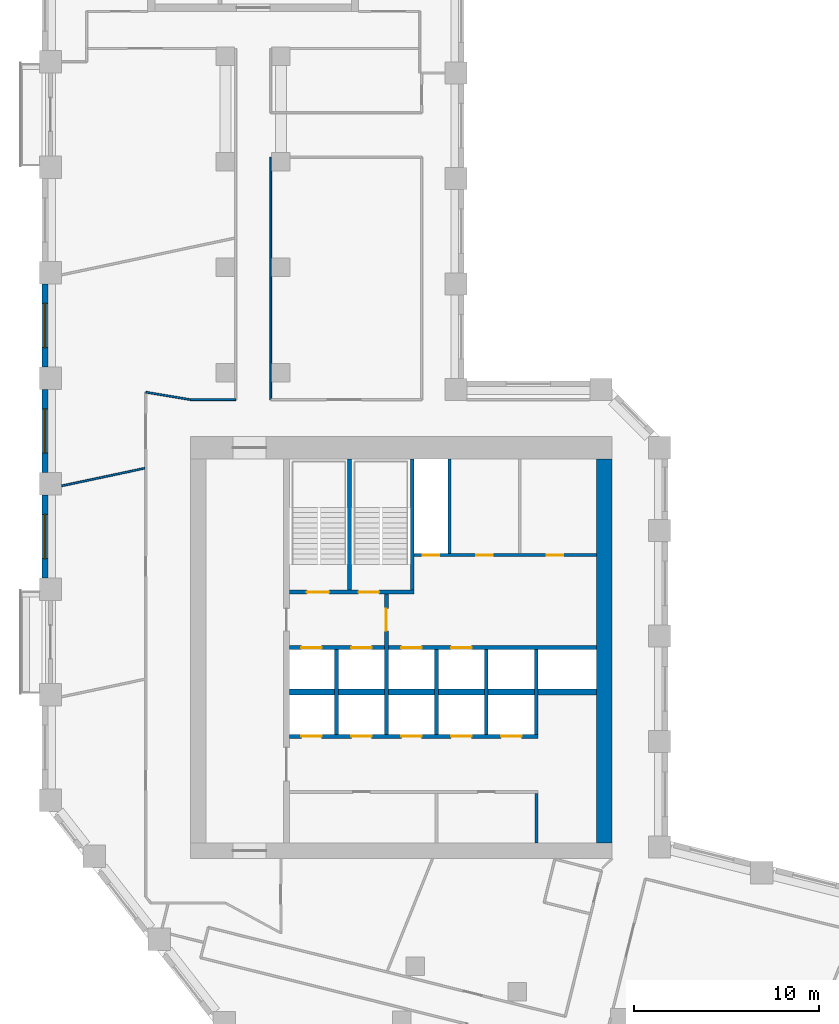
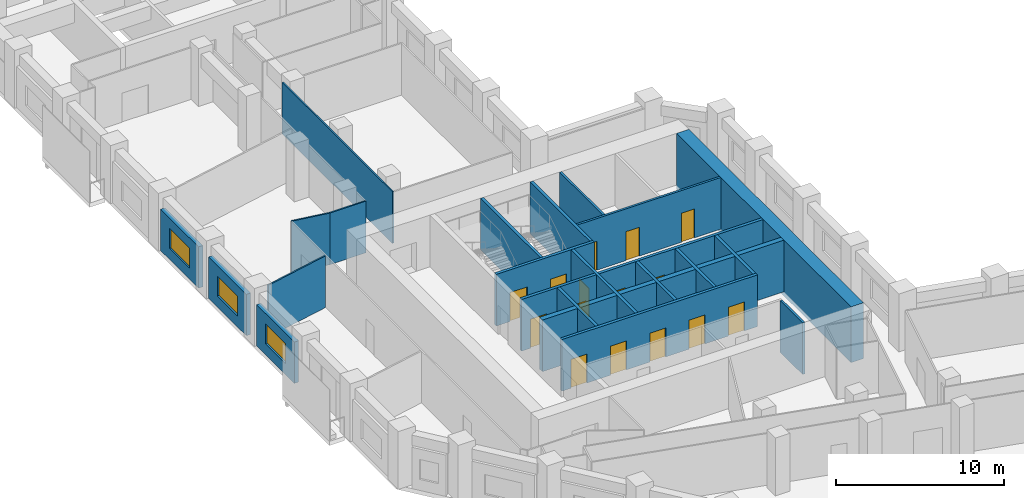
# One storey, part 5 of 10: 22 walls, 15 doors, 3 windows, 18 openings.
"""IFC4 building model written with IfcOpenShell, lengths in metres."""

import ifcopenshell
import ifcopenshell.guid

model = None  # the IFC model being written
_history = None  # IfcOwnerHistory: only IFC2X3 demands one
_inside = {}  # id of a spatial element -> (the spatial element, [elements in it])
_under = {}  # id of a project, library or spatial element -> (it, [spatial elements below it])
_declared = {}  # id of a project -> (the project, [libraries it declares])
_typed = {}  # id of a type object -> (the type object, [elements of that type])
_made_of = {}  # id of a material, layer set ... -> (it, [elements and type objects made of it])


def new_model(schema):
    """Start an empty IFC model of exactly this schema.

    Asked for "IFC4X3", IfcOpenShell would pick the latest addendum, in which some entities
    have other attributes; the version numbers below select the first issue.
    IFC2X3 requires an IfcOwnerHistory on every rooted entity: one is made here for all.
    """
    global model, _history
    if schema == "IFC4X3":
        model = ifcopenshell.file(schema_version=(4, 3, 0, 0))
    else:
        model = ifcopenshell.file(schema=schema)
    _inside.clear()
    _under.clear()
    _declared.clear()
    _typed.clear()
    _made_of.clear()
    _history = None
    if model.schema == "IFC2X3":
        org = make("IfcOrganization", Name="unknown")
        user = make(
            "IfcPersonAndOrganization",
            ThePerson=make("IfcPerson", FamilyName="unknown"),
            TheOrganization=org,
        )
        app = make(
            "IfcApplication",
            ApplicationDeveloper=org,
            Version="unknown",
            ApplicationFullName="unknown",
            ApplicationIdentifier="unknown",
        )
        _history = make(
            "IfcOwnerHistory",
            OwningUser=user,
            OwningApplication=app,
            ChangeAction="ADDED",
            CreationDate=0,
        )
    return model


def make(cls, **values):
    """One entity of the class cls with the attributes given. An attribute that is None is left unset."""
    return model.create_entity(
        cls, **{name: value for name, value in values.items() if value is not None}
    )


def rooted(cls, **values):
    """An entity with a GlobalId (a new one), such as an element, a storey or a relation."""
    return make(cls, GlobalId=ifcopenshell.guid.new(), OwnerHistory=_history, **values)


def si_unit(unit_type, name, prefix=None):
    """IfcSIUnit, for example si_unit("LENGTHUNIT", "METRE", prefix="MILLI")."""
    return make("IfcSIUnit", UnitType=unit_type, Prefix=prefix, Name=name)


def assignment(units):
    """IfcUnitAssignment: the units of a project."""
    return None if units is None else make("IfcUnitAssignment", Units=units)


def point(xyz):
    """IfcCartesianPoint."""
    return None if xyz is None else make("IfcCartesianPoint", Coordinates=xyz)


def direction(xyz):
    """IfcDirection."""
    return None if xyz is None else make("IfcDirection", DirectionRatios=xyz)


def frame(location, z_axis=None, x_axis=None):
    """IfcAxis2Placement3D, a coordinate frame: its origin and axes. An axis left out is left unset."""
    return make(
        "IfcAxis2Placement3D",
        Location=point(location),
        Axis=direction(z_axis),
        RefDirection=direction(x_axis),
    )


def frame_2d(location, x_axis=None):
    """IfcAxis2Placement2D, a coordinate frame in the plane: its origin and x axis."""
    return make(
        "IfcAxis2Placement2D", Location=point(location), RefDirection=direction(x_axis)
    )


def origin():
    """The frame at (0, 0, 0) with its axes left unset."""
    return frame((0.0, 0.0, 0.0))


def place(relative_to, where):
    """IfcLocalPlacement: puts the frame where relative to a parent placement (None: the world)."""
    return make(
        "IfcLocalPlacement", PlacementRelTo=relative_to, RelativePlacement=where
    )


def context(
    kind, dimensions, precision=None, world=None, true_north=None, identifier=None
):
    """IfcGeometricRepresentationContext, for example the 3D "Model" context."""
    return make(
        "IfcGeometricRepresentationContext",
        ContextIdentifier=identifier,
        ContextType=kind,
        CoordinateSpaceDimension=dimensions,
        Precision=precision,
        WorldCoordinateSystem=world,
        TrueNorth=true_north,
    )


def subcontext(parent, identifier, kind, view, scale=None):
    """IfcGeometricRepresentationSubContext, for example "Body" below "Model"."""
    return make(
        "IfcGeometricRepresentationSubContext",
        ContextIdentifier=identifier,
        ContextType=kind,
        ParentContext=parent,
        TargetScale=scale,
        TargetView=view,
    )


def project(units=None, contexts=None):
    """IfcProject with its units and contexts."""
    return rooted(
        "IfcProject",
        Name="project",
        RepresentationContexts=contexts,
        UnitsInContext=assignment(units),
    )


def spatial(cls, under=None, at=None, **own):
    """A site, building, storey or space (cls), placed at a placement, below another one or the project."""
    s = rooted(cls, ObjectPlacement=at, **own)
    if under is not None:
        _under.setdefault(under.id(), (under, []))[1].append(s)
    return s


def profile(cls, at=None, kind="AREA", **sizes):
    """A parametric profile (cls). Its sizes go by their IFC names, for example OverallWidth=200.0."""
    return make(cls, ProfileType=kind, Position=at, **sizes)


def rectangle(**sizes):
    """IfcRectangleProfileDef."""
    return profile("IfcRectangleProfileDef", **sizes)


def extrude(swept, where, along, depth):
    """IfcExtrudedAreaSolid: the profile swept, set in the frame where, extruded along a direction by depth."""
    return make(
        "IfcExtrudedAreaSolid",
        SweptArea=swept,
        Position=where,
        ExtrudedDirection=direction(along),
        Depth=depth,
    )


def shape(context_of_items, identifier, shape_type, items):
    """IfcShapeRepresentation: the items that make up one representation, for example the "Body"."""
    return make(
        "IfcShapeRepresentation",
        ContextOfItems=context_of_items,
        RepresentationIdentifier=identifier,
        RepresentationType=shape_type,
        Items=items,
    )


def material(Name=None, Category=None):
    """IfcMaterial."""
    return make("IfcMaterial", Name=Name, Category=Category)


def layer(
    of_material, thickness, ventilated=None, Name=None, Category=None, Priority=None
):
    """IfcMaterialLayer: one layer of a wall or slab, of a material (None: an air gap)."""
    return make(
        "IfcMaterialLayer",
        Material=of_material,
        LayerThickness=thickness,
        IsVentilated=ventilated,
        Name=Name,
        Category=Category,
        Priority=Priority,
    )


def layer_set(layers, Name=None):
    """IfcMaterialLayerSet."""
    return make("IfcMaterialLayerSet", MaterialLayers=layers, LayerSetName=Name)


def made_of(thing, what):
    """Note that an element or type object is made of a material, layer set ...; save() writes the relation."""
    if what is not None:
        _made_of.setdefault(what.id(), (what, []))[1].append(thing)
    return thing


def type_object(cls, material=None, **own):
    """A type object (cls), such as IfcWallType, which elements share."""
    return made_of(rooted(cls, **own), material)


def element(
    cls,
    number,
    at=None,
    inside=None,
    cuts=None,
    type_object=None,
    material=None,
    context=None,
    identifier="Body",
    shape_type=None,
    held_by="IfcProductDefinitionShape",
    body=None,
    shapes=None,
    **own,
):
    """One element of the class cls, such as IfcWall. Its Tag is "e" and its number.

    at: its placement. inside: the storey or other place that contains it. cuts: it is an
    opening in that element (IfcRelVoidsElement). A single representation is given by context,
    identifier, shape_type and body (its items); several are given by shapes. held_by: the class
    of the entity that holds the representations. save() writes the other relations.
    """
    e = rooted(cls, Tag="e%d" % number, ObjectPlacement=at, **own)
    if body is not None:
        shapes = [shape(context, identifier, shape_type, body)]
    if shapes is not None:
        e.Representation = make(held_by, Representations=shapes)
    if inside is not None:
        _inside.setdefault(inside.id(), (inside, []))[1].append(e)
    if cuts is not None:
        rooted(
            "IfcRelVoidsElement", RelatingBuildingElement=cuts, RelatedOpeningElement=e
        )
    if type_object is not None:
        _typed.setdefault(type_object.id(), (type_object, []))[1].append(e)
    return made_of(e, material)


def fill(opening, filler):
    """IfcRelFillsElement: the door or window that sits in an opening."""
    return rooted(
        "IfcRelFillsElement",
        RelatingOpeningElement=opening,
        RelatedBuildingElement=filler,
    )


def aggregate(whole, parts):
    """IfcRelAggregates: a whole, such as a stair, and the parts it consists of."""
    return rooted("IfcRelAggregates", RelatingObject=whole, RelatedObjects=parts)


def save(model, path):
    """Write the relations noted so far, then the file.

    IfcRelAggregates (storeys below a building ...), IfcRelContainedInSpatialStructure (elements
    in a storey), IfcRelDefinesByType, IfcRelAssociatesMaterial and IfcRelDeclares: one each for
    every whole, place, type object, material and project.
    """
    for whole, parts in _under.values():
        aggregate(whole, parts)
    for where, things in _inside.values():
        rooted(
            "IfcRelContainedInSpatialStructure",
            RelatedElements=things,
            RelatingStructure=where,
        )
    for kind, things in _typed.values():
        rooted("IfcRelDefinesByType", RelatedObjects=things, RelatingType=kind)
    for what, things in _made_of.values():
        rooted("IfcRelAssociatesMaterial", RelatedObjects=things, RelatingMaterial=what)
    for by, libraries in _declared.values():
        rooted("IfcRelDeclares", RelatingContext=by, RelatedDefinitions=libraries)
    model.write(path)


model = new_model("IFC4")

# Units and contexts
model_context = context("Model", 3, precision=1e-05, world=origin(), true_north=direction((0.0, 1.0)))
body_context = subcontext(model_context, "Body", "Model", "MODEL_VIEW")
ifc_project = project(units=[si_unit("LENGTHUNIT", "METRE"), si_unit("AREAUNIT", "SQUARE_METRE"), si_unit("VOLUMEUNIT", "CUBIC_METRE"), si_unit("PLANEANGLEUNIT", "RADIAN"), si_unit("MASSUNIT", "GRAM", prefix="KILO")], contexts=[model_context])

# Site, building, storey
site_placement = place(None, origin())
site = spatial("IfcSite", under=ifc_project, at=site_placement, CompositionType="ELEMENT")
building_placement = place(site_placement, origin())
building = spatial("IfcBuilding", under=site, at=building_placement, Name="Meshkara Civic Tower", CompositionType="ELEMENT")
storey_placement = place(building_placement, frame((0.0, 0.0, 216.0)))
storey = spatial("IfcBuildingStorey", under=building, at=storey_placement, Name="L49", CompositionType="ELEMENT", Elevation=216.0)

# Wall, openings, doors
ifc_material_1 = material(Name="Blockwork", Category="masonry")
ifc_layer_1 = layer(ifc_material_1, 0.14990234375)
ifc_layer_set_1 = layer_set([ifc_layer_1], Name="Core partition 150")
wall_type_1 = type_object("IfcWallType", Name="Core partition 150", PredefinedType="PARTITIONING", material=ifc_layer_set_1)
wall_1_placement = place(storey_placement, frame((20.10009765625, 30.5, 0.0), z_axis=(0.0, 0.0, 1.0), x_axis=(1.0, 0.0, 0.0)))
wall_1 = element("IfcWall", 1, at=wall_1_placement, inside=storey, type_object=wall_type_1, Name="L49-C010", PredefinedType="PARTITIONING", context=body_context, shape_type="SweptSolid", body=[
    extrude(rectangle(XDim=9.849853515625, YDim=0.14990234375, at=frame_2d((4.9248046875, 0.0))), origin(), (0.0, 0.0, 1.0), 3.75),
])
opening_1_placement = place(wall_1_placement, frame((0.449951171875, 0.0, 0.0)))
opening_1 = element("IfcOpeningElement", 2, at=opening_1_placement, cuts=wall_1, Name="Opening L49-K012", PredefinedType="OPENING", context=body_context, shape_type="SweptSolid", body=[
    extrude(rectangle(XDim=0.89990234375, YDim=2.10009765625, at=frame_2d((0.449951171875, 1.050048828125))), frame((0.0, 0.0849609375, 0.0), z_axis=(0.0, -1.0, 0.0), x_axis=(1.0, 0.0, 0.0)), (0.0, 0.0, 1.0), 0.169921875),
])
opening_2_placement = place(wall_1_placement, frame((3.35009765625, 0.0, 0.0)))
opening_2 = element("IfcOpeningElement", 3, at=opening_2_placement, cuts=wall_1, Name="Opening L49-K013", PredefinedType="OPENING", context=body_context, shape_type="SweptSolid", body=[
    extrude(rectangle(XDim=0.89990234375, YDim=2.10009765625, at=frame_2d((0.449951171875, 1.050048828125))), frame((0.0, 0.0849609375, 0.0), z_axis=(0.0, -1.0, 0.0), x_axis=(1.0, 0.0, 0.0)), (0.0, 0.0, 1.0), 0.169921875),
])
opening_3_placement = place(wall_1_placement, frame((7.14990234375, 0.0, 0.0)))
opening_3 = element("IfcOpeningElement", 4, at=opening_3_placement, cuts=wall_1, Name="Opening L49-K014", PredefinedType="OPENING", context=body_context, shape_type="SweptSolid", body=[
    extrude(rectangle(XDim=0.89990234375, YDim=2.10009765625, at=frame_2d((0.449951171875, 1.050048828125))), frame((0.0, 0.0849609375, 0.0), z_axis=(0.0, -1.0, 0.0), x_axis=(1.0, 0.0, 0.0)), (0.0, 0.0, 1.0), 0.169921875),
])
ifc_material_2 = material(Name="Timber door leaf in steel frame", Category="steel")
door_type_1 = type_object("IfcDoorType", Name="Core room door 900", OperationType="SINGLE_SWING_LEFT", PredefinedType="DOOR", material=ifc_material_2)
door_1_placement = place(opening_2_placement, origin())
door_1 = element("IfcDoor", 5, at=door_1_placement, inside=storey, type_object=door_type_1, Name="L49-K013", OperationType="SINGLE_SWING_RIGHT", OverallHeight=2.10009765625, OverallWidth=0.89990234375, PredefinedType="DOOR", context=body_context, shape_type="SweptSolid", body=[
    extrude(rectangle(XDim=0.89990234375, YDim=2.10009765625, at=frame_2d((0.449951171875, 1.050048828125))), frame((0.0, 0.02490234375, 0.0), z_axis=(0.0, -1.0, 0.0), x_axis=(1.0, 0.0, 0.0)), (0.0, 0.0, 1.0), 0.050048828125),
])
fill(opening_2, door_1)
ifc_material_3 = material(Name="Fire-rated door leaf in steel frame", Category="steel")
door_type_2 = type_object("IfcDoorType", Name="Riser door 900", OperationType="SINGLE_SWING_LEFT", PredefinedType="DOOR", material=ifc_material_3)
door_2_placement = place(opening_1_placement, origin())
door_2 = element("IfcDoor", 6, at=door_2_placement, inside=storey, type_object=door_type_2, Name="L49-K012", OperationType="SINGLE_SWING_RIGHT", OverallHeight=2.10009765625, OverallWidth=0.89990234375, PredefinedType="DOOR", context=body_context, shape_type="SweptSolid", body=[
    extrude(rectangle(XDim=0.89990234375, YDim=2.10009765625, at=frame_2d((0.449951171875, 1.050048828125))), frame((0.0, 0.02490234375, 0.0), z_axis=(0.0, -1.0, 0.0), x_axis=(1.0, 0.0, 0.0)), (0.0, 0.0, 1.0), 0.050048828125),
])
fill(opening_1, door_2)
ifc_material_4 = material(Name="Timber door leaf in steel frame", Category="steel")
door_type_3 = type_object("IfcDoorType", Name="WC door 900", OperationType="SINGLE_SWING_LEFT", PredefinedType="DOOR", material=ifc_material_4)
door_3_placement = place(opening_3_placement, origin())
door_3 = element("IfcDoor", 7, at=door_3_placement, inside=storey, type_object=door_type_3, Name="L49-K014", OperationType="SINGLE_SWING_LEFT", OverallHeight=2.10009765625, OverallWidth=0.89990234375, PredefinedType="DOOR", context=body_context, shape_type="SweptSolid", body=[
    extrude(rectangle(XDim=0.89990234375, YDim=2.10009765625, at=frame_2d((0.449951171875, 1.050048828125))), frame((0.0, 0.02490234375, 0.0), z_axis=(0.0, -1.0, 0.0), x_axis=(1.0, 0.0, 0.0)), (0.0, 0.0, 1.0), 0.050048828125),
])
fill(opening_3, door_3)

# Walls
wall_2_placement = place(storey_placement, frame((22.0, 30.574951171875, 0.0), z_axis=(0.0, 0.0, 1.0), x_axis=(0.0, 1.0, 0.0)))
element("IfcWall", 8, at=wall_2_placement, inside=storey, type_object=wall_type_1, Name="L49-C018", PredefinedType="PARTITIONING", context=body_context, shape_type="SweptSolid", body=[
    extrude(rectangle(XDim=5.125, YDim=0.14990234375, at=frame_2d((2.5625, 0.0))), origin(), (0.0, 0.0, 1.0), 3.75),
])
wall_3_placement = place(storey_placement, frame((26.699951171875, 14.949951171875, 0.0), z_axis=(0.0, 0.0, 1.0), x_axis=(0.0, 1.0, 0.0)))
element("IfcWall", 9, at=wall_3_placement, inside=storey, type_object=wall_type_1, Name="L49-C021", PredefinedType="PARTITIONING", context=body_context, shape_type="SweptSolid", body=[
    extrude(rectangle(XDim=2.675048828125, YDim=0.14990234375, at=frame_2d((1.33740234375, 0.0))), origin(), (0.0, 0.0, 1.0), 3.75),
])
ifc_material_5 = material(Name="Concrete C70", Category="concrete")
ifc_layer_2 = layer(ifc_material_5, 0.85009765625)
ifc_layer_set_2 = layer_set([ifc_layer_2], Name="Core ring wall 850 C70")
wall_type_2 = type_object("IfcWallType", Name="Core ring wall 850 C70", PredefinedType="SHEAR", material=ifc_layer_set_2)
wall_4_placement = place(storey_placement, frame((30.375, 14.949951171875, -0.300048828125), z_axis=(0.0, 0.0, 1.0), x_axis=(0.0, 1.0, 0.0)))
element("IfcWall", 10, at=wall_4_placement, inside=storey, type_object=wall_type_2, Name="L49-C004", PredefinedType="SHEAR", context=body_context, shape_type="SweptSolid", body=[
    extrude(rectangle(XDim=20.75, YDim=0.85009765625, at=frame_2d((10.375, 0.0))), origin(), (0.0, 0.0, 1.0), 4.050048828125),
])
ifc_material_6 = material(Name="Concrete C70", Category="concrete")
ifc_layer_3 = layer(ifc_material_6, 0.340087890625)
ifc_layer_set_3 = layer_set([ifc_layer_3], Name="Core shear wall 340 C70")
wall_type_3 = type_object("IfcWallType", Name="Core shear wall 340 C70", PredefinedType="SHEAR", material=ifc_layer_set_3)
wall_5_placement = place(storey_placement, frame((13.3701171875, 23.10009765625, 0.0), z_axis=(0.0, 0.0, 1.0), x_axis=(1.0, 0.0, 0.0)))
element("IfcWall", 11, at=wall_5_placement, inside=storey, type_object=wall_type_3, Name="L49-C007", PredefinedType="SHEAR", context=body_context, shape_type="SweptSolid", body=[
    extrude(rectangle(XDim=16.579833984375, YDim=0.340087890625, at=frame_2d((8.2900390625, 0.0))), origin(), (0.0, 0.0, 1.0), 3.75),
])
ifc_material_7 = material(Name="Corridor wall 100")
ifc_layer_4 = layer(ifc_material_7, 0.10009765625)
ifc_layer_set_4 = layer_set([ifc_layer_4], Name="Corridor wall 100")
wall_type_4 = type_object("IfcWallType", Name="Corridor wall 100", PredefinedType="PARTITIONING", material=ifc_layer_set_4)
wall_6_placement = place(storey_placement, frame((8.0, 38.89990234375, 0.0), z_axis=(0.0, 0.0, 1.0), x_axis=(-0.986383073668, 0.16446407505, 0.0)))
element("IfcWall", 12, at=wall_6_placement, inside=storey, type_object=wall_type_4, Name="L49-W007", PredefinedType="PARTITIONING", context=body_context, shape_type="SweptSolid", body=[
    extrude(rectangle(XDim=2.43310546875, YDim=0.10009765625, at=frame_2d((1.216552734375, 0.0))), origin(), (0.0, 0.0, 1.0), 3.75),
])
wall_7_placement = place(storey_placement, frame((10.449951171875, 38.89990234375, 0.0), z_axis=(0.0, 0.0, 1.0), x_axis=(-1.0, 0.0, 0.0)))
element("IfcWall", 13, at=wall_7_placement, inside=storey, type_object=wall_type_4, Name="L49-W012", PredefinedType="PARTITIONING", context=body_context, shape_type="SweptSolid", body=[
    extrude(rectangle(XDim=2.449951171875, YDim=0.10009765625, at=frame_2d((1.22509765625, 0.0))), origin(), (0.0, 0.0, 1.0), 3.75),
])
wall_8_placement = place(storey_placement, frame((12.35009765625, 38.89990234375, 0.0), z_axis=(0.0, 0.0, 1.0), x_axis=(0.0, 1.0, 0.0)))
element("IfcWall", 14, at=wall_8_placement, inside=storey, type_object=wall_type_4, Name="L49-W014", PredefinedType="PARTITIONING", context=body_context, shape_type="SweptSolid", body=[
    extrude(rectangle(XDim=13.10009765625, YDim=0.10009765625, at=frame_2d((6.550048828125, 0.0))), origin(), (0.0, 0.0, 1.0), 3.75),
])

# Wall, opening, window
ifc_material_8 = material(Name="Insulated infill panel with bronze anodised aluminium cladding", Category="aluminium")
ifc_layer_5 = layer(ifc_material_8, 0.300048828125)
ifc_layer_set_5 = layer_set([ifc_layer_5], Name="EXTERNAL INFILL WALL 300")
wall_type_5 = type_object("IfcWallType", Name="EXTERNAL INFILL WALL 300", PredefinedType="SOLIDWALL", material=ifc_layer_set_5)
wall_9_placement = place(storey_placement, frame((0.14990234375, 45.155029296875, 0.0), z_axis=(0.0, 0.0, 1.0), x_axis=(0.0, -1.0, 0.0)))
wall_9 = element("IfcWall", 15, at=wall_9_placement, inside=storey, type_object=wall_type_5, Name="External wall", PredefinedType="SOLIDWALL", context=body_context, shape_type="SweptSolid", body=[
    extrude(rectangle(XDim=4.5, YDim=0.300048828125, at=frame_2d((2.25, 0.0))), origin(), (0.0, 0.0, 1.0), 3.0),
])
opening_4_placement = place(wall_9_placement, frame((1.050048828125, 0.0, 0.800048828125)))
opening_4 = element("IfcOpeningElement", 16, at=opening_4_placement, cuts=wall_9, Name="Opening W8", PredefinedType="OPENING", context=body_context, shape_type="SweptSolid", body=[
    extrude(rectangle(XDim=2.39990234375, YDim=1.449951171875, at=frame_2d((1.199951171875, 0.72509765625))), frame((0.0, 0.159912109375, 0.0), z_axis=(0.0, -1.0, 0.0), x_axis=(1.0, 0.0, 0.0)), (0.0, 0.0, 1.0), 0.320068359375),
])
ifc_material_9 = material(Name="Tinted double glazing", Category="glass")
window_type = type_object("IfcWindowType", Name="WINDOW 2400x1450", PartitioningType="DOUBLE_PANEL_VERTICAL", PredefinedType="WINDOW", material=ifc_material_9)
window_1_placement = place(opening_4_placement, origin())
window_1 = element("IfcWindow", 17, at=window_1_placement, inside=storey, type_object=window_type, Name="Window", OverallHeight=1.449951171875, OverallWidth=2.39990234375, PartitioningType="DOUBLE_PANEL_VERTICAL", PredefinedType="WINDOW", context=body_context, shape_type="SweptSolid", body=[
    extrude(rectangle(XDim=2.39990234375, YDim=1.449951171875, at=frame_2d((1.199951171875, 0.72509765625))), frame((0.0, 0.030029296875, 0.0), z_axis=(0.0, -1.0, 0.0), x_axis=(1.0, 0.0, 0.0)), (0.0, 0.0, 1.0), 0.06005859375),
])
fill(opening_4, window_1)

wall_10_placement = place(storey_placement, frame((0.14990234375, 39.455078125, 0.0), z_axis=(0.0, 0.0, 1.0), x_axis=(0.0, -1.0, 0.0)))
wall_10 = element("IfcWall", 18, at=wall_10_placement, inside=storey, type_object=wall_type_5, Name="External wall", PredefinedType="SOLIDWALL", context=body_context, shape_type="SweptSolid", body=[
    extrude(rectangle(XDim=4.5, YDim=0.300048828125, at=frame_2d((2.25, 0.0))), origin(), (0.0, 0.0, 1.0), 3.0),
])
opening_5_placement = place(wall_10_placement, frame((1.050048828125, 0.0, 0.800048828125)))
opening_5 = element("IfcOpeningElement", 19, at=opening_5_placement, cuts=wall_10, Name="Opening W8", PredefinedType="OPENING", context=body_context, shape_type="SweptSolid", body=[
    extrude(rectangle(XDim=2.39990234375, YDim=1.449951171875, at=frame_2d((1.199951171875, 0.72509765625))), frame((0.0, 0.159912109375, 0.0), z_axis=(0.0, -1.0, 0.0), x_axis=(1.0, 0.0, 0.0)), (0.0, 0.0, 1.0), 0.320068359375),
])
window_2_placement = place(opening_5_placement, origin())
window_2 = element("IfcWindow", 20, at=window_2_placement, inside=storey, type_object=window_type, Name="Window", OverallHeight=1.449951171875, OverallWidth=2.39990234375, PartitioningType="DOUBLE_PANEL_VERTICAL", PredefinedType="WINDOW", context=body_context, shape_type="SweptSolid", body=[
    extrude(rectangle(XDim=2.39990234375, YDim=1.449951171875, at=frame_2d((1.199951171875, 0.72509765625))), frame((0.0, 0.030029296875, 0.0), z_axis=(0.0, -1.0, 0.0), x_axis=(1.0, 0.0, 0.0)), (0.0, 0.0, 1.0), 0.06005859375),
])
fill(opening_5, window_2)

wall_11_placement = place(storey_placement, frame((0.14990234375, 33.7548828125, 0.0), z_axis=(0.0, 0.0, 1.0), x_axis=(0.0, -1.0, 0.0)))
wall_11 = element("IfcWall", 21, at=wall_11_placement, inside=storey, type_object=wall_type_5, Name="External wall", PredefinedType="SOLIDWALL", context=body_context, shape_type="SweptSolid", body=[
    extrude(rectangle(XDim=4.5, YDim=0.300048828125, at=frame_2d((2.25, 0.0))), origin(), (0.0, 0.0, 1.0), 3.0),
])
opening_6_placement = place(wall_11_placement, frame((1.050048828125, 0.0, 0.800048828125)))
opening_6 = element("IfcOpeningElement", 22, at=opening_6_placement, cuts=wall_11, Name="Opening W8", PredefinedType="OPENING", context=body_context, shape_type="SweptSolid", body=[
    extrude(rectangle(XDim=2.39990234375, YDim=1.449951171875, at=frame_2d((1.199951171875, 0.72509765625))), frame((0.0, 0.159912109375, 0.0), z_axis=(0.0, -1.0, 0.0), x_axis=(1.0, 0.0, 0.0)), (0.0, 0.0, 1.0), 0.320068359375),
])
window_3_placement = place(opening_6_placement, origin())
window_3 = element("IfcWindow", 23, at=window_3_placement, inside=storey, type_object=window_type, Name="Window", OverallHeight=1.449951171875, OverallWidth=2.39990234375, PartitioningType="DOUBLE_PANEL_VERTICAL", PredefinedType="WINDOW", context=body_context, shape_type="SweptSolid", body=[
    extrude(rectangle(XDim=2.39990234375, YDim=1.449951171875, at=frame_2d((1.199951171875, 0.72509765625))), frame((0.0, 0.030029296875, 0.0), z_axis=(0.0, -1.0, 0.0), x_axis=(1.0, 0.0, 0.0)), (0.0, 0.0, 1.0), 0.06005859375),
])
fill(opening_6, window_3)

# Wall
ifc_material_10 = material(Name="Partition 100")
ifc_layer_6 = layer(ifc_material_10, 0.10009765625)
ifc_layer_set_6 = layer_set([ifc_layer_6], Name="Partition 100")
wall_type_6 = type_object("IfcWallType", Name="Partition 100", PredefinedType="PARTITIONING", material=ifc_layer_set_6)
wall_12_placement = place(storey_placement, frame((5.5400390625, 35.19189453125, 0.0), z_axis=(0.0, 0.0, 1.0), x_axis=(-0.978127345263, -0.208006962499, 0.0)))
element("IfcWall", 24, at=wall_12_placement, inside=storey, type_object=wall_type_6, Name="L49-W047", PredefinedType="PARTITIONING", context=body_context, shape_type="SweptSolid", body=[
    extrude(rectangle(XDim=4.59033203125, YDim=0.10009765625, at=frame_2d((2.295166015625, 0.0))), origin(), (0.0, 0.0, 1.0), 3.75),
])

# Wall, openings, doors
ifc_material_11 = material(Name="Concrete C40/50", Category="concrete")
ifc_layer_7 = layer(ifc_material_11, 0.199951171875)
ifc_layer_set_7 = layer_set([ifc_layer_7], Name="Shaft wall 200 C40/50")
wall_type_7 = type_object("IfcWallType", Name="Shaft wall 200 C40/50", PredefinedType="SOLIDWALL", material=ifc_layer_set_7)
wall_13_placement = place(storey_placement, frame((13.3701171875, 20.699951171875, 0.0), z_axis=(0.0, 0.0, 1.0), x_axis=(1.0, 0.0, 0.0)))
wall_13 = element("IfcWall", 25, at=wall_13_placement, inside=storey, type_object=wall_type_7, Name="L49-C006", PredefinedType="SOLIDWALL", context=body_context, shape_type="SweptSolid", body=[
    extrude(rectangle(XDim=13.429931640625, YDim=0.199951171875, at=frame_2d((6.71484375, 0.0))), origin(), (0.0, 0.0, 1.0), 3.75),
])
opening_7_placement = place(wall_13_placement, frame((0.6298828125, 0.0, 0.0)))
opening_7 = element("IfcOpeningElement", 26, at=opening_7_placement, cuts=wall_13, Name="Opening L49-K001", PredefinedType="OPENING", context=body_context, shape_type="SweptSolid", body=[
    extrude(rectangle(XDim=1.10009765625, YDim=2.10009765625, at=frame_2d((0.550048828125, 1.050048828125))), frame((0.0, 0.10986328125, 0.0), z_axis=(0.0, -1.0, 0.0), x_axis=(1.0, 0.0, 0.0)), (0.0, 0.0, 1.0), 0.219970703125),
])
opening_8_placement = place(wall_13_placement, frame((3.330078125, 0.0, 0.0)))
opening_8 = element("IfcOpeningElement", 27, at=opening_8_placement, cuts=wall_13, Name="Opening L49-K002", PredefinedType="OPENING", context=body_context, shape_type="SweptSolid", body=[
    extrude(rectangle(XDim=1.10009765625, YDim=2.10009765625, at=frame_2d((0.550048828125, 1.050048828125))), frame((0.0, 0.10986328125, 0.0), z_axis=(0.0, -1.0, 0.0), x_axis=(1.0, 0.0, 0.0)), (0.0, 0.0, 1.0), 0.219970703125),
])
opening_9_placement = place(wall_13_placement, frame((6.030029296875, 0.0, 0.0)))
opening_9 = element("IfcOpeningElement", 28, at=opening_9_placement, cuts=wall_13, Name="Opening L49-K003", PredefinedType="OPENING", context=body_context, shape_type="SweptSolid", body=[
    extrude(rectangle(XDim=1.10009765625, YDim=2.10009765625, at=frame_2d((0.550048828125, 1.050048828125))), frame((0.0, 0.10986328125, 0.0), z_axis=(0.0, -1.0, 0.0), x_axis=(1.0, 0.0, 0.0)), (0.0, 0.0, 1.0), 0.219970703125),
])
opening_10_placement = place(wall_13_placement, frame((8.72998046875, 0.0, 0.0)))
opening_10 = element("IfcOpeningElement", 29, at=opening_10_placement, cuts=wall_13, Name="Opening L49-K004", PredefinedType="OPENING", context=body_context, shape_type="SweptSolid", body=[
    extrude(rectangle(XDim=1.10009765625, YDim=2.10009765625, at=frame_2d((0.550048828125, 1.050048828125))), frame((0.0, 0.10986328125, 0.0), z_axis=(0.0, -1.0, 0.0), x_axis=(1.0, 0.0, 0.0)), (0.0, 0.0, 1.0), 0.219970703125),
])
opening_11_placement = place(wall_13_placement, frame((11.429931640625, 0.0, 0.0)))
opening_11 = element("IfcOpeningElement", 30, at=opening_11_placement, cuts=wall_13, Name="Opening L49-K005", PredefinedType="OPENING", context=body_context, shape_type="SweptSolid", body=[
    extrude(rectangle(XDim=1.10009765625, YDim=2.10009765625, at=frame_2d((0.550048828125, 1.050048828125))), frame((0.0, 0.10986328125, 0.0), z_axis=(0.0, -1.0, 0.0), x_axis=(1.0, 0.0, 0.0)), (0.0, 0.0, 1.0), 0.219970703125),
])
ifc_material_12 = material(Name="Stainless steel landing door", Category="steel")
door_type_4 = type_object("IfcDoorType", Name="Lift landing door 1100", OperationType="SLIDING_TO_LEFT", PredefinedType="DOOR", material=ifc_material_12)
door_4_placement = place(opening_7_placement, origin())
door_4 = element("IfcDoor", 31, at=door_4_placement, inside=storey, type_object=door_type_4, Name="L49-K001", OperationType="SLIDING_TO_LEFT", OverallHeight=2.10009765625, OverallWidth=1.10009765625, PredefinedType="DOOR", context=body_context, shape_type="SweptSolid", body=[
    extrude(rectangle(XDim=1.10009765625, YDim=2.10009765625, at=frame_2d((0.550048828125, 1.050048828125))), frame((0.0, 0.02490234375, 0.0), z_axis=(0.0, -1.0, 0.0), x_axis=(1.0, 0.0, 0.0)), (0.0, 0.0, 1.0), 0.050048828125),
])
fill(opening_7, door_4)
door_5_placement = place(opening_8_placement, origin())
door_5 = element("IfcDoor", 32, at=door_5_placement, inside=storey, type_object=door_type_4, Name="L49-K002", OperationType="SLIDING_TO_LEFT", OverallHeight=2.10009765625, OverallWidth=1.10009765625, PredefinedType="DOOR", context=body_context, shape_type="SweptSolid", body=[
    extrude(rectangle(XDim=1.10009765625, YDim=2.10009765625, at=frame_2d((0.550048828125, 1.050048828125))), frame((0.0, 0.02490234375, 0.0), z_axis=(0.0, -1.0, 0.0), x_axis=(1.0, 0.0, 0.0)), (0.0, 0.0, 1.0), 0.050048828125),
])
fill(opening_8, door_5)
door_6_placement = place(opening_9_placement, origin())
door_6 = element("IfcDoor", 33, at=door_6_placement, inside=storey, type_object=door_type_4, Name="L49-K003", OperationType="SLIDING_TO_LEFT", OverallHeight=2.10009765625, OverallWidth=1.10009765625, PredefinedType="DOOR", context=body_context, shape_type="SweptSolid", body=[
    extrude(rectangle(XDim=1.10009765625, YDim=2.10009765625, at=frame_2d((0.550048828125, 1.050048828125))), frame((0.0, 0.02490234375, 0.0), z_axis=(0.0, -1.0, 0.0), x_axis=(1.0, 0.0, 0.0)), (0.0, 0.0, 1.0), 0.050048828125),
])
fill(opening_9, door_6)
door_7_placement = place(opening_10_placement, origin())
door_7 = element("IfcDoor", 34, at=door_7_placement, inside=storey, type_object=door_type_4, Name="L49-K004", OperationType="SLIDING_TO_LEFT", OverallHeight=2.10009765625, OverallWidth=1.10009765625, PredefinedType="DOOR", context=body_context, shape_type="SweptSolid", body=[
    extrude(rectangle(XDim=1.10009765625, YDim=2.10009765625, at=frame_2d((0.550048828125, 1.050048828125))), frame((0.0, 0.02490234375, 0.0), z_axis=(0.0, -1.0, 0.0), x_axis=(1.0, 0.0, 0.0)), (0.0, 0.0, 1.0), 0.050048828125),
])
fill(opening_10, door_7)
door_8_placement = place(opening_11_placement, origin())
door_8 = element("IfcDoor", 35, at=door_8_placement, inside=storey, type_object=door_type_4, Name="L49-K005", OperationType="SLIDING_TO_LEFT", OverallHeight=2.10009765625, OverallWidth=1.10009765625, PredefinedType="DOOR", context=body_context, shape_type="SweptSolid", body=[
    extrude(rectangle(XDim=1.10009765625, YDim=2.10009765625, at=frame_2d((0.550048828125, 1.050048828125))), frame((0.0, 0.02490234375, 0.0), z_axis=(0.0, -1.0, 0.0), x_axis=(1.0, 0.0, 0.0)), (0.0, 0.0, 1.0), 0.050048828125),
])
fill(opening_11, door_8)

wall_14_placement = place(storey_placement, frame((13.3701171875, 25.5, 0.0), z_axis=(0.0, 0.0, 1.0), x_axis=(1.0, 0.0, 0.0)))
wall_14 = element("IfcWall", 36, at=wall_14_placement, inside=storey, type_object=wall_type_7, Name="L49-C008", PredefinedType="SOLIDWALL", context=body_context, shape_type="SweptSolid", body=[
    extrude(rectangle(XDim=16.579833984375, YDim=0.199951171875, at=frame_2d((8.2900390625, 0.0))), origin(), (0.0, 0.0, 1.0), 3.75),
])
opening_12_placement = place(wall_14_placement, frame((0.6298828125, 0.0, 0.0)))
opening_12 = element("IfcOpeningElement", 37, at=opening_12_placement, cuts=wall_14, Name="Opening L49-K006", PredefinedType="OPENING", context=body_context, shape_type="SweptSolid", body=[
    extrude(rectangle(XDim=1.10009765625, YDim=2.10009765625, at=frame_2d((0.550048828125, 1.050048828125))), frame((0.0, 0.10986328125, 0.0), z_axis=(0.0, -1.0, 0.0), x_axis=(1.0, 0.0, 0.0)), (0.0, 0.0, 1.0), 0.219970703125),
])
opening_13_placement = place(wall_14_placement, frame((3.330078125, 0.0, 0.0)))
opening_13 = element("IfcOpeningElement", 38, at=opening_13_placement, cuts=wall_14, Name="Opening L49-K007", PredefinedType="OPENING", context=body_context, shape_type="SweptSolid", body=[
    extrude(rectangle(XDim=1.10009765625, YDim=2.10009765625, at=frame_2d((0.550048828125, 1.050048828125))), frame((0.0, 0.10986328125, 0.0), z_axis=(0.0, -1.0, 0.0), x_axis=(1.0, 0.0, 0.0)), (0.0, 0.0, 1.0), 0.219970703125),
])
opening_14_placement = place(wall_14_placement, frame((6.030029296875, 0.0, 0.0)))
opening_14 = element("IfcOpeningElement", 39, at=opening_14_placement, cuts=wall_14, Name="Opening L49-K008", PredefinedType="OPENING", context=body_context, shape_type="SweptSolid", body=[
    extrude(rectangle(XDim=1.10009765625, YDim=2.10009765625, at=frame_2d((0.550048828125, 1.050048828125))), frame((0.0, 0.10986328125, 0.0), z_axis=(0.0, -1.0, 0.0), x_axis=(1.0, 0.0, 0.0)), (0.0, 0.0, 1.0), 0.219970703125),
])
opening_15_placement = place(wall_14_placement, frame((8.72998046875, 0.0, 0.0)))
opening_15 = element("IfcOpeningElement", 40, at=opening_15_placement, cuts=wall_14, Name="Opening L49-K009", PredefinedType="OPENING", context=body_context, shape_type="SweptSolid", body=[
    extrude(rectangle(XDim=1.10009765625, YDim=2.10009765625, at=frame_2d((0.550048828125, 1.050048828125))), frame((0.0, 0.10986328125, 0.0), z_axis=(0.0, -1.0, 0.0), x_axis=(1.0, 0.0, 0.0)), (0.0, 0.0, 1.0), 0.219970703125),
])
door_9_placement = place(opening_12_placement, origin())
door_9 = element("IfcDoor", 41, at=door_9_placement, inside=storey, type_object=door_type_4, Name="L49-K006", OperationType="SLIDING_TO_LEFT", OverallHeight=2.10009765625, OverallWidth=1.10009765625, PredefinedType="DOOR", context=body_context, shape_type="SweptSolid", body=[
    extrude(rectangle(XDim=1.10009765625, YDim=2.10009765625, at=frame_2d((0.550048828125, 1.050048828125))), frame((0.0, 0.02490234375, 0.0), z_axis=(0.0, -1.0, 0.0), x_axis=(1.0, 0.0, 0.0)), (0.0, 0.0, 1.0), 0.050048828125),
])
fill(opening_12, door_9)
door_10_placement = place(opening_13_placement, origin())
door_10 = element("IfcDoor", 42, at=door_10_placement, inside=storey, type_object=door_type_4, Name="L49-K007", OperationType="SLIDING_TO_LEFT", OverallHeight=2.10009765625, OverallWidth=1.10009765625, PredefinedType="DOOR", context=body_context, shape_type="SweptSolid", body=[
    extrude(rectangle(XDim=1.10009765625, YDim=2.10009765625, at=frame_2d((0.550048828125, 1.050048828125))), frame((0.0, 0.02490234375, 0.0), z_axis=(0.0, -1.0, 0.0), x_axis=(1.0, 0.0, 0.0)), (0.0, 0.0, 1.0), 0.050048828125),
])
fill(opening_13, door_10)
door_11_placement = place(opening_14_placement, origin())
door_11 = element("IfcDoor", 43, at=door_11_placement, inside=storey, type_object=door_type_4, Name="L49-K008", OperationType="SLIDING_TO_LEFT", OverallHeight=2.10009765625, OverallWidth=1.10009765625, PredefinedType="DOOR", context=body_context, shape_type="SweptSolid", body=[
    extrude(rectangle(XDim=1.10009765625, YDim=2.10009765625, at=frame_2d((0.550048828125, 1.050048828125))), frame((0.0, 0.02490234375, 0.0), z_axis=(0.0, -1.0, 0.0), x_axis=(1.0, 0.0, 0.0)), (0.0, 0.0, 1.0), 0.050048828125),
])
fill(opening_14, door_11)
door_12_placement = place(opening_15_placement, origin())
door_12 = element("IfcDoor", 44, at=door_12_placement, inside=storey, type_object=door_type_4, Name="L49-K009", OperationType="SLIDING_TO_LEFT", OverallHeight=2.10009765625, OverallWidth=1.10009765625, PredefinedType="DOOR", context=body_context, shape_type="SweptSolid", body=[
    extrude(rectangle(XDim=1.10009765625, YDim=2.10009765625, at=frame_2d((0.550048828125, 1.050048828125))), frame((0.0, 0.02490234375, 0.0), z_axis=(0.0, -1.0, 0.0), x_axis=(1.0, 0.0, 0.0)), (0.0, 0.0, 1.0), 0.050048828125),
])
fill(opening_15, door_12)

# Wall
wall_15_placement = place(storey_placement, frame((15.89990234375, 20.800048828125, 0.0), z_axis=(0.0, 0.0, 1.0), x_axis=(0.0, 1.0, 0.0)))
element("IfcWall", 45, at=wall_15_placement, inside=storey, type_object=wall_type_7, Name="L49-C012", PredefinedType="SOLIDWALL", context=body_context, shape_type="SweptSolid", body=[
    extrude(rectangle(XDim=4.599853515625, YDim=0.199951171875, at=frame_2d((2.2998046875, 0.0))), origin(), (0.0, 0.0, 1.0), 3.75),
])

# Wall, opening, door
wall_16_placement = place(storey_placement, frame((18.60009765625, 20.800048828125, 0.0), z_axis=(0.0, 0.0, 1.0), x_axis=(0.0, 1.0, 0.0)))
wall_16 = element("IfcWall", 46, at=wall_16_placement, inside=storey, type_object=wall_type_7, Name="L49-C014", PredefinedType="SOLIDWALL", context=body_context, shape_type="SweptSolid", body=[
    extrude(rectangle(XDim=7.599853515625, YDim=0.199951171875, at=frame_2d((3.7998046875, 0.0))), origin(), (0.0, 0.0, 1.0), 3.75),
])
opening_16_placement = place(wall_16_placement, frame((5.60009765625, 0.0, 0.0)))
opening_16 = element("IfcOpeningElement", 47, at=opening_16_placement, cuts=wall_16, Name="Opening L49-K019", PredefinedType="OPENING", context=body_context, shape_type="SweptSolid", body=[
    extrude(rectangle(XDim=1.199951171875, YDim=2.10009765625, at=frame_2d((0.60009765625, 1.050048828125))), frame((0.0, 0.10986328125, 0.0), z_axis=(0.0, -1.0, 0.0), x_axis=(1.0, 0.0, 0.0)), (0.0, 0.0, 1.0), 0.219970703125),
])
ifc_material_13 = material(Name="Fire-rated door leaf in steel frame", Category="steel")
door_type_5 = type_object("IfcDoorType", Name="Fire-fighting lobby door 1200 EI 120", OperationType="SINGLE_SWING_LEFT", PredefinedType="DOOR", material=ifc_material_13)
door_13_placement = place(opening_16_placement, origin())
door_13 = element("IfcDoor", 48, at=door_13_placement, inside=storey, type_object=door_type_5, Name="L49-K019", OperationType="SINGLE_SWING_RIGHT", OverallHeight=2.10009765625, OverallWidth=1.199951171875, PredefinedType="DOOR", context=body_context, shape_type="SweptSolid", body=[
    extrude(rectangle(XDim=1.199951171875, YDim=2.10009765625, at=frame_2d((0.60009765625, 1.050048828125))), frame((0.0, 0.02490234375, 0.0), z_axis=(0.0, -1.0, 0.0), x_axis=(1.0, 0.0, 0.0)), (0.0, 0.0, 1.0), 0.050048828125),
])
fill(opening_16, door_13)

# Walls
for number, where, z_axis, x_axis, name in (
    (49, (21.300048828125, 20.800048828125, 0.0), (0.0, 0.0, 1.0), (0.0, 1.0, 0.0), "L49-C017"),
    (50, (24.0, 20.800048828125, 0.0), (0.0, 0.0, 1.0), (0.0, 1.0, 0.0), "L49-C019"),
    (51, (26.699951171875, 20.800048828125, 0.0), (0.0, 0.0, 1.0), (0.0, 1.0, 0.0), "L49-C022"),
):
    element("IfcWall", number, at=place(storey_placement, frame(where, z_axis=z_axis, x_axis=x_axis)), inside=storey, type_object=wall_type_7, Name=name, PredefinedType="SOLIDWALL", context=body_context, shape_type="SweptSolid", body=[
        extrude(rectangle(XDim=4.599853515625, YDim=0.199951171875, at=frame_2d((2.2998046875, 0.0))), origin(), (0.0, 0.0, 1.0), 3.75),
    ])

# Wall, openings, doors
ifc_material_14 = material(Name="Concrete C40/50", Category="concrete")
ifc_layer_8 = layer(ifc_material_14, 0.199951171875)
ifc_layer_set_8 = layer_set([ifc_layer_8], Name="Stair enclosure wall 200 C40/50")
wall_type_8 = type_object("IfcWallType", Name="Stair enclosure wall 200 C40/50", PredefinedType="SOLIDWALL", material=ifc_layer_set_8)
wall_17_placement = place(storey_placement, frame((13.3701171875, 28.5, 0.0), z_axis=(0.0, 0.0, 1.0), x_axis=(1.0, 0.0, 0.0)))
wall_17 = element("IfcWall", 52, at=wall_17_placement, inside=storey, type_object=wall_type_8, Name="L49-C009", PredefinedType="SOLIDWALL", context=body_context, shape_type="SweptSolid", body=[
    extrude(rectangle(XDim=6.72998046875, YDim=0.199951171875, at=frame_2d((3.364990234375, 0.0))), origin(), (0.0, 0.0, 1.0), 3.75),
])
opening_17_placement = place(wall_17_placement, frame((0.929931640625, 0.0, 0.0)))
opening_17 = element("IfcOpeningElement", 53, at=opening_17_placement, cuts=wall_17, Name="Opening L49-K015", PredefinedType="OPENING", context=body_context, shape_type="SweptSolid", body=[
    extrude(rectangle(XDim=1.199951171875, YDim=2.10009765625, at=frame_2d((0.60009765625, 1.050048828125))), frame((0.0, 0.10986328125, 0.0), z_axis=(0.0, -1.0, 0.0), x_axis=(1.0, 0.0, 0.0)), (0.0, 0.0, 1.0), 0.219970703125),
])
opening_18_placement = place(wall_17_placement, frame((3.72998046875, 0.0, 0.0)))
opening_18 = element("IfcOpeningElement", 54, at=opening_18_placement, cuts=wall_17, Name="Opening L49-K016", PredefinedType="OPENING", context=body_context, shape_type="SweptSolid", body=[
    extrude(rectangle(XDim=1.10009765625, YDim=2.10009765625, at=frame_2d((0.550048828125, 1.050048828125))), frame((0.0, 0.10986328125, 0.0), z_axis=(0.0, -1.0, 0.0), x_axis=(1.0, 0.0, 0.0)), (0.0, 0.0, 1.0), 0.219970703125),
])
ifc_material_15 = material(Name="Fire-rated door leaf in steel frame", Category="steel")
door_type_6 = type_object("IfcDoorType", Name="Stair door 1100 EI 120", OperationType="SINGLE_SWING_LEFT", PredefinedType="DOOR", material=ifc_material_15)
door_14_placement = place(opening_18_placement, origin())
door_14 = element("IfcDoor", 55, at=door_14_placement, inside=storey, type_object=door_type_6, Name="L49-K016", OperationType="SINGLE_SWING_LEFT", OverallHeight=2.10009765625, OverallWidth=1.10009765625, PredefinedType="DOOR", context=body_context, shape_type="SweptSolid", body=[
    extrude(rectangle(XDim=1.10009765625, YDim=2.10009765625, at=frame_2d((0.550048828125, 1.050048828125))), frame((0.0, 0.02490234375, 0.0), z_axis=(0.0, -1.0, 0.0), x_axis=(1.0, 0.0, 0.0)), (0.0, 0.0, 1.0), 0.050048828125),
])
fill(opening_18, door_14)
ifc_material_16 = material(Name="Fire-rated door leaf in steel frame", Category="steel")
door_type_7 = type_object("IfcDoorType", Name="Stair door 1200 EI 120", OperationType="SINGLE_SWING_LEFT", PredefinedType="DOOR", material=ifc_material_16)
door_15_placement = place(opening_17_placement, origin())
door_15 = element("IfcDoor", 56, at=door_15_placement, inside=storey, type_object=door_type_7, Name="L49-K015", OperationType="SINGLE_SWING_RIGHT", OverallHeight=2.10009765625, OverallWidth=1.199951171875, PredefinedType="DOOR", context=body_context, shape_type="SweptSolid", body=[
    extrude(rectangle(XDim=1.199951171875, YDim=2.10009765625, at=frame_2d((0.60009765625, 1.050048828125))), frame((0.0, 0.02490234375, 0.0), z_axis=(0.0, -1.0, 0.0), x_axis=(1.0, 0.0, 0.0)), (0.0, 0.0, 1.0), 0.050048828125),
])
fill(opening_17, door_15)

# Walls
for number, where, z_axis, x_axis, name in (
    (57, (16.60009765625, 28.60009765625, 0.0), (0.0, 0.0, 1.0), (0.0, 1.0, 0.0), "L49-C013"),
    (58, (20.0, 28.60009765625, 0.0), (0.0, 0.0, 1.0), (0.0, 1.0, 0.0), "L49-C015"),
):
    element("IfcWall", number, at=place(storey_placement, frame(where, z_axis=z_axis, x_axis=x_axis)), inside=storey, type_object=wall_type_8, Name=name, PredefinedType="SOLIDWALL", context=body_context, shape_type="SweptSolid", body=[
        extrude(rectangle(XDim=7.099853515625, YDim=0.199951171875, at=frame_2d((3.5498046875, 0.0))), origin(), (0.0, 0.0, 1.0), 3.75),
    ])

save(model, "model.ifc")
